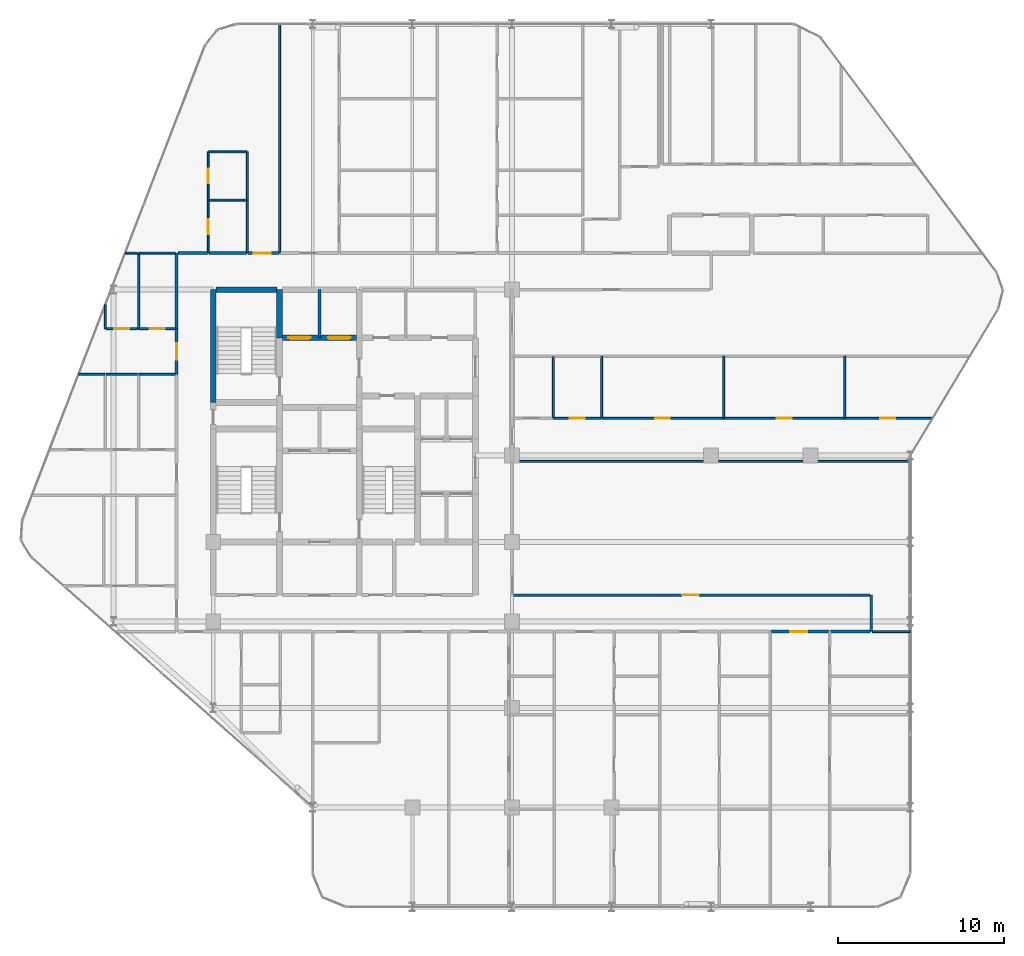
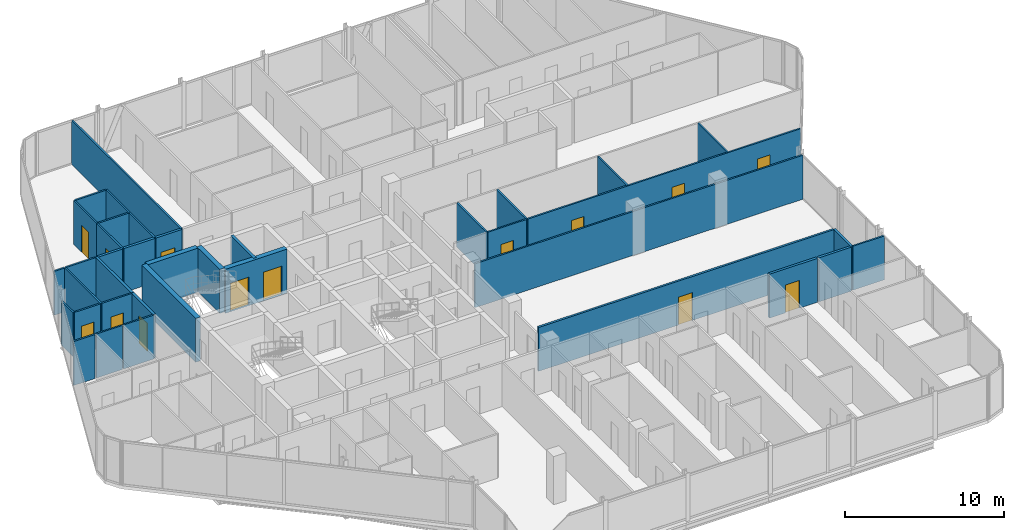
# One storey, part 28 of 32: 38 walls, 14 doors, 14 openings.
"""IFC4 building model written with IfcOpenShell, lengths in metres."""

from ifc_helpers import new_model, si_unit, direction, frame, frame_2d, origin, place, context, subcontext, project, spatial, rectangle, extrude, material, layer, layer_set, type_object, element, fill, save


model = new_model("IFC4")

# Units and contexts
model_context = context("Model", 3, precision=1e-05, world=origin(), true_north=direction((0.0, 1.0)))
body_context = subcontext(model_context, "Body", "Model", "MODEL_VIEW")
ifc_project = project(units=[si_unit("LENGTHUNIT", "METRE"), si_unit("AREAUNIT", "SQUARE_METRE"), si_unit("VOLUMEUNIT", "CUBIC_METRE"), si_unit("PLANEANGLEUNIT", "RADIAN"), si_unit("MASSUNIT", "GRAM", prefix="KILO")], contexts=[model_context])

# Site, building, storey
site_placement = place(None, origin())
site = spatial("IfcSite", under=ifc_project, at=site_placement, CompositionType="ELEMENT")
building_placement = place(site_placement, origin())
building = spatial("IfcBuilding", under=site, at=building_placement, Name="Keshet Zoharim Tower", CompositionType="ELEMENT")
storey_placement = place(building_placement, frame((0.0, 0.0, 152.0)))
storey = spatial("IfcBuildingStorey", under=building, at=storey_placement, Name="L37", CompositionType="ELEMENT", Elevation=152.0)

# Wall
ifc_material_1 = material(Name="Gypsum Plasterboard", Category="gypsum")
ifc_layer_1 = layer(ifc_material_1, 0.14990234375)
ifc_layer_set_1 = layer_set([ifc_layer_1], Name="Gypsum Plasterboard")
wall_type_1 = type_object("IfcWallType", Name="WL-CLIN-150", PredefinedType="STANDARD", material=ifc_layer_set_1)
wall_1_placement = place(storey_placement, frame((54.64990234375, 17.31005859375, 0.0), z_axis=(0.0, 0.0, 1.0), x_axis=(0.0, 1.0, 0.0)))
element("IfcWall", 1, at=wall_1_placement, inside=storey, type_object=wall_type_1, Name="L37 Interior Wall 112", PredefinedType="STANDARD", context=body_context, shape_type="SweptSolid", body=[
    extrude(rectangle(XDim=2.18994140625, YDim=0.14990234375, at=frame_2d((1.094970703125, 0.0))), origin(), (0.0, 0.0, 1.0), 3.385009765625),
])

# Wall, opening, door
wall_2_placement = place(storey_placement, frame((33.070068359375, 19.5, 0.0), z_axis=(0.0, 0.0, 1.0), x_axis=(1.0, 0.0, 0.0)))
wall_2 = element("IfcWall", 2, at=wall_2_placement, inside=storey, type_object=wall_type_1, Name="L37 Interior Wall 148", PredefinedType="STANDARD", context=body_context, shape_type="SweptSolid", body=[
    extrude(rectangle(XDim=21.510009765625, YDim=0.14990234375, at=frame_2d((10.7548828125, 0.0))), origin(), (0.0, 0.0, 1.0), 3.385009765625),
])
opening_1_placement = place(wall_2_placement, frame((10.18505859375, 0.0, 0.0)))
opening_1 = element("IfcOpeningElement", 3, at=opening_1_placement, cuts=wall_2, Name="Opening D-F310", PredefinedType="OPENING", context=body_context, shape_type="SweptSolid", body=[
    extrude(rectangle(XDim=1.0, YDim=2.14990234375, at=frame_2d((0.5, 1.074951171875))), frame((0.0, 0.0849609375, 0.0), z_axis=(0.0, -1.0, 0.0), x_axis=(1.0, 0.0, 0.0)), (0.0, 0.0, 1.0), 0.169921875),
])
ifc_material_2 = material(Name="Hardwood Timber", Category="wood")
door_type_1 = type_object("IfcDoorType", Name="DR-FD30-100", OperationType="NOTDEFINED", PredefinedType="DOOR", material=ifc_material_2)
door_1_placement = place(opening_1_placement, origin())
door_1 = element("IfcDoor", 4, at=door_1_placement, inside=storey, type_object=door_type_1, Name="L37 South East Residents Services Suite Door 1", OperationType="SINGLE_SWING_LEFT", OverallHeight=2.14990234375, OverallWidth=1.0, PredefinedType="DOOR", context=body_context, shape_type="SweptSolid", body=[
    extrude(rectangle(XDim=1.0, YDim=2.14990234375, at=frame_2d((0.5, 1.074951171875))), frame((0.0, 0.02490234375, 0.0), z_axis=(0.0, -1.0, 0.0), x_axis=(1.0, 0.0, 0.0)), (0.0, 0.0, 1.0), 0.050048828125),
])
fill(opening_1, door_1)

# Walls
ifc_material_3 = material(Name="Concrete C60/75", Category="concrete")
ifc_layer_2 = layer(ifc_material_3, 0.35009765625)
ifc_layer_set_2 = layer_set([ifc_layer_2], Name="Concrete C60/75")
wall_type_2 = type_object("IfcWallType", Name="WL-CORE-350", PredefinedType="SHEAR", material=ifc_layer_set_2)
wall_3_placement = place(storey_placement, frame((15.0, 31.10009765625, 0.0), z_axis=(0.0, 0.0, 1.0), x_axis=(0.0, 1.0, 0.0)))
element("IfcWall", 5, at=wall_3_placement, inside=storey, type_object=wall_type_2, Name="L37 Core Shear Wall 018", PredefinedType="SHEAR", context=body_context, shape_type="SweptSolid", body=[
    extrude(rectangle(XDim=6.7998046875, YDim=0.35009765625, at=frame_2d((3.39990234375, 0.0))), origin(), (0.0, 0.0, 1.0), 3.385009765625),
])
wall_4_placement = place(storey_placement, frame((19.0, 35.0, 0.0), z_axis=(0.0, 0.0, 1.0), x_axis=(0.0, 1.0, 0.0)))
element("IfcWall", 6, at=wall_4_placement, inside=storey, type_object=wall_type_2, Name="L37 Core Shear Wall 027", PredefinedType="SHEAR", context=body_context, shape_type="SweptSolid", body=[
    extrude(rectangle(XDim=2.89990234375, YDim=0.35009765625, at=frame_2d((1.449951171875, 0.0))), origin(), (0.0, 0.0, 1.0), 3.385009765625),
])

# Wall, openings, doors
wall_5_placement = place(storey_placement, frame((19.159912109375, 35.0, 0.0), z_axis=(0.0, 0.0, 1.0), x_axis=(1.0, 0.0, 0.0)))
wall_5 = element("IfcWall", 7, at=wall_5_placement, inside=storey, type_object=wall_type_2, Name="L37 Core Shear Wall 182", PredefinedType="SHEAR", context=body_context, shape_type="SweptSolid", body=[
    extrude(rectangle(XDim=4.47998046875, YDim=0.35009765625, at=frame_2d((2.239990234375, 0.0))), origin(), (0.0, 0.0, 1.0), 3.385009765625),
])
opening_2_placement = place(wall_5_placement, frame((0.364990234375, 0.0, 0.0)))
opening_2 = element("IfcOpeningElement", 8, at=opening_2_placement, cuts=wall_5, Name="Opening LD-02", PredefinedType="OPENING", context=body_context, shape_type="SweptSolid", body=[
    extrude(rectangle(XDim=1.35009765625, YDim=2.199951171875, at=frame_2d((0.675048828125, 1.10009765625))), frame((0.0, 0.18505859375, 0.0), z_axis=(0.0, -1.0, 0.0), x_axis=(1.0, 0.0, 0.0)), (0.0, 0.0, 1.0), 0.3701171875),
])
opening_3_placement = place(wall_5_placement, frame((2.764892578125, 0.0, 0.0)))
opening_3 = element("IfcOpeningElement", 9, at=opening_3_placement, cuts=wall_5, Name="Opening LD-02", PredefinedType="OPENING", context=body_context, shape_type="SweptSolid", body=[
    extrude(rectangle(XDim=1.35009765625, YDim=2.199951171875, at=frame_2d((0.675048828125, 1.10009765625))), frame((0.0, 0.18505859375, 0.0), z_axis=(0.0, -1.0, 0.0), x_axis=(1.0, 0.0, 0.0)), (0.0, 0.0, 1.0), 0.3701171875),
])
ifc_material_4 = material(Name="Steel S355", Category="steel")
door_type_2 = type_object("IfcDoorType", Name="DR-LD02-135", OperationType="DOUBLE_DOOR_SLIDING", PredefinedType="DOOR", material=ifc_material_4)
door_2_placement = place(opening_2_placement, origin())
door_2 = element("IfcDoor", 10, at=door_2_placement, inside=storey, type_object=door_type_2, Name="L37 Firefighting Lift Landing Door FF-01", OperationType="DOUBLE_DOOR_SLIDING", OverallHeight=2.199951171875, OverallWidth=1.35009765625, PredefinedType="DOOR", context=body_context, shape_type="SweptSolid", body=[
    extrude(rectangle(XDim=1.35009765625, YDim=2.199951171875, at=frame_2d((0.675048828125, 1.10009765625))), frame((0.0, 0.02490234375, 0.0), z_axis=(0.0, -1.0, 0.0), x_axis=(1.0, 0.0, 0.0)), (0.0, 0.0, 1.0), 0.050048828125),
])
fill(opening_2, door_2)
door_3_placement = place(opening_3_placement, origin())
door_3 = element("IfcDoor", 11, at=door_3_placement, inside=storey, type_object=door_type_2, Name="L37 Firefighting Lift Landing Door FF-02", OperationType="DOUBLE_DOOR_SLIDING", OverallHeight=2.199951171875, OverallWidth=1.35009765625, PredefinedType="DOOR", context=body_context, shape_type="SweptSolid", body=[
    extrude(rectangle(XDim=1.35009765625, YDim=2.199951171875, at=frame_2d((0.675048828125, 1.10009765625))), frame((0.0, 0.02490234375, 0.0), z_axis=(0.0, -1.0, 0.0), x_axis=(1.0, 0.0, 0.0)), (0.0, 0.0, 1.0), 0.050048828125),
])
fill(opening_3, door_3)

# Wall
wall_6_placement = place(storey_placement, frame((15.159912109375, 37.89990234375, 0.0), z_axis=(0.0, 0.0, 1.0), x_axis=(1.0, 0.0, 0.0)))
element("IfcWall", 12, at=wall_6_placement, inside=storey, type_object=wall_type_2, Name="L37 Core Shear Wall 187", PredefinedType="SHEAR", context=body_context, shape_type="SweptSolid", body=[
    extrude(rectangle(XDim=3.68017578125, YDim=0.35009765625, at=frame_2d((1.840087890625, 0.0))), origin(), (0.0, 0.0, 1.0), 3.385009765625),
])

# Wall, opening, door
ifc_layer_3 = layer(ifc_material_1, 0.179931640625)
ifc_layer_set_3 = layer_set([ifc_layer_3], Name="Gypsum Plasterboard")
wall_type_3 = type_object("IfcWallType", Name="WL-CORR-180", PredefinedType="STANDARD", material=ifc_layer_set_3)
wall_7_placement = place(storey_placement, frame((12.800048828125, 32.800048828125, 0.0), z_axis=(0.0, 0.0, 1.0), x_axis=(0.0, 1.0, 0.0)))
wall_7 = element("IfcWall", 13, at=wall_7_placement, inside=storey, type_object=wall_type_3, Name="L37 Interior Wall 011", PredefinedType="STANDARD", context=body_context, shape_type="SweptSolid", body=[
    extrude(rectangle(XDim=2.75, YDim=0.179931640625, at=frame_2d((1.375, 0.0))), origin(), (0.0, 0.0, 1.0), 3.385009765625),
])
opening_4_placement = place(wall_7_placement, frame((0.875, 0.0, 0.0)))
opening_4 = element("IfcOpeningElement", 14, at=opening_4_placement, cuts=wall_7, Name="Opening D-F310", PredefinedType="OPENING", context=body_context, shape_type="SweptSolid", body=[
    extrude(rectangle(XDim=1.0, YDim=2.14990234375, at=frame_2d((0.5, 1.074951171875))), frame((0.0, 0.10009765625, 0.0), z_axis=(0.0, -1.0, 0.0), x_axis=(1.0, 0.0, 0.0)), (0.0, 0.0, 1.0), 0.199951171875),
])
door_4_placement = place(opening_4_placement, origin())
door_4 = element("IfcDoor", 15, at=door_4_placement, inside=storey, type_object=door_type_1, Name="Apartment 3712 Entrance Door", OperationType="SINGLE_SWING_LEFT", OverallHeight=2.14990234375, OverallWidth=1.0, PredefinedType="DOOR", context=body_context, shape_type="SweptSolid", body=[
    extrude(rectangle(XDim=1.0, YDim=2.14990234375, at=frame_2d((0.5, 1.074951171875))), frame((0.0, 0.02490234375, 0.0), z_axis=(0.0, -1.0, 0.0), x_axis=(1.0, 0.0, 0.0)), (0.0, 0.0, 1.0), 0.050048828125),
])
fill(opening_4, door_4)

# Wall
wall_8_placement = place(storey_placement, frame((12.800048828125, 35.550048828125, 0.0), z_axis=(0.0, 0.0, 1.0), x_axis=(0.0, 1.0, 0.0)))
element("IfcWall", 16, at=wall_8_placement, inside=storey, type_object=wall_type_3, Name="L37 Interior Wall 012", PredefinedType="STANDARD", context=body_context, shape_type="SweptSolid", body=[
    extrude(rectangle(XDim=4.550048828125, YDim=0.179931640625, at=frame_2d((2.27490234375, 0.0))), origin(), (0.0, 0.0, 1.0), 3.385009765625),
])

# Wall, opening, door
wall_9_placement = place(storey_placement, frame((48.594970703125, 17.300048828125, 0.0), z_axis=(0.0, 0.0, 1.0), x_axis=(1.0, 0.0, 0.0)))
wall_9 = element("IfcWall", 17, at=wall_9_placement, inside=storey, type_object=wall_type_3, Name="L37 Interior Wall 141", PredefinedType="STANDARD", context=body_context, shape_type="SweptSolid", body=[
    extrude(rectangle(XDim=3.510009765625, YDim=0.179931640625, at=frame_2d((1.7548828125, 0.0))), origin(), (0.0, 0.0, 1.0), 3.385009765625),
])
opening_5_placement = place(wall_9_placement, frame((1.18505859375, 0.0, 0.0)))
opening_5 = element("IfcOpeningElement", 18, at=opening_5_placement, cuts=wall_9, Name="Opening D-F310", PredefinedType="OPENING", context=body_context, shape_type="SweptSolid", body=[
    extrude(rectangle(XDim=1.0, YDim=2.14990234375, at=frame_2d((0.5, 1.074951171875))), frame((0.0, 0.10009765625, 0.0), z_axis=(0.0, -1.0, 0.0), x_axis=(1.0, 0.0, 0.0)), (0.0, 0.0, 1.0), 0.199951171875),
])
door_5_placement = place(opening_5_placement, origin())
door_5 = element("IfcDoor", 19, at=door_5_placement, inside=storey, type_object=door_type_1, Name="Apartment 3705 Entrance Door", OperationType="SINGLE_SWING_RIGHT", OverallHeight=2.14990234375, OverallWidth=1.0, PredefinedType="DOOR", context=body_context, shape_type="SweptSolid", body=[
    extrude(rectangle(XDim=1.0, YDim=2.14990234375, at=frame_2d((0.5, 1.074951171875))), frame((0.0, 0.02490234375, 0.0), z_axis=(0.0, -1.0, 0.0), x_axis=(1.0, 0.0, 0.0)), (0.0, 0.0, 1.0), 0.050048828125),
])
fill(opening_5, door_5)

# Walls
wall_10_placement = place(storey_placement, frame((52.195068359375, 17.300048828125, 0.0), z_axis=(0.0, 0.0, 1.0), x_axis=(1.0, 0.0, 0.0)))
element("IfcWall", 20, at=wall_10_placement, inside=storey, type_object=wall_type_3, Name="L37 Interior Wall 142", PredefinedType="STANDARD", context=body_context, shape_type="SweptSolid", body=[
    extrude(rectangle(XDim=2.385009765625, YDim=0.179931640625, at=frame_2d((1.1923828125, 0.0))), origin(), (0.0, 0.0, 1.0), 3.385009765625),
])
wall_11_placement = place(storey_placement, frame((12.875, 40.10009765625, 0.0), z_axis=(0.0, 0.0, 1.0), x_axis=(1.0, 0.0, 0.0)))
element("IfcWall", 21, at=wall_11_placement, inside=storey, type_object=wall_type_3, Name="L37 Interior Wall 194", PredefinedType="STANDARD", context=body_context, shape_type="SweptSolid", body=[
    extrude(rectangle(XDim=1.780029296875, YDim=0.179931640625, at=frame_2d((0.89013671875, 0.0))), origin(), (0.0, 0.0, 1.0), 3.385009765625),
])
wall_12_placement = place(storey_placement, frame((14.7451171875, 40.10009765625, 0.0), z_axis=(0.0, 0.0, 1.0), x_axis=(1.0, 0.0, 0.0)))
element("IfcWall", 22, at=wall_12_placement, inside=storey, type_object=wall_type_3, Name="L37 Interior Wall 195", PredefinedType="STANDARD", context=body_context, shape_type="SweptSolid", body=[
    extrude(rectangle(XDim=2.259765625, YDim=0.179931640625, at=frame_2d((1.1298828125, 0.0))), origin(), (0.0, 0.0, 1.0), 3.385009765625),
])

# Wall, opening, door
wall_13_placement = place(storey_placement, frame((17.094970703125, 40.10009765625, 0.0), z_axis=(0.0, 0.0, 1.0), x_axis=(1.0, 0.0, 0.0)))
wall_13 = element("IfcWall", 23, at=wall_13_placement, inside=storey, type_object=wall_type_3, Name="L37 Interior Wall 196", PredefinedType="STANDARD", context=body_context, shape_type="SweptSolid", body=[
    extrude(rectangle(XDim=1.860107421875, YDim=0.179931640625, at=frame_2d((0.93017578125, 0.0))), origin(), (0.0, 0.0, 1.0), 3.385009765625),
])
opening_6_placement = place(wall_13_placement, frame((0.35693359375, 0.0, 0.0)))
opening_6 = element("IfcOpeningElement", 24, at=opening_6_placement, cuts=wall_13, Name="Opening D-F310", PredefinedType="OPENING", context=body_context, shape_type="SweptSolid", body=[
    extrude(rectangle(XDim=1.0, YDim=2.14990234375, at=frame_2d((0.5, 1.074951171875))), frame((0.0, 0.10009765625, 0.0), z_axis=(0.0, -1.0, 0.0), x_axis=(1.0, 0.0, 0.0)), (0.0, 0.0, 1.0), 0.199951171875),
])
door_6_placement = place(opening_6_placement, origin())
door_6 = element("IfcDoor", 25, at=door_6_placement, inside=storey, type_object=door_type_1, Name="Apartment 3706 Entrance Door", OperationType="SINGLE_SWING_RIGHT", OverallHeight=2.14990234375, OverallWidth=1.0, PredefinedType="DOOR", context=body_context, shape_type="SweptSolid", body=[
    extrude(rectangle(XDim=1.0, YDim=2.14990234375, at=frame_2d((0.5, 1.074951171875))), frame((0.0, 0.02490234375, 0.0), z_axis=(0.0, -1.0, 0.0), x_axis=(1.0, 0.0, 0.0)), (0.0, 0.0, 1.0), 0.050048828125),
])
fill(opening_6, door_6)

# Walls
ifc_material_5 = material(Name="Concrete C50/60", Category="concrete")
ifc_layer_4 = layer(ifc_material_5, 0.199951171875)
ifc_layer_set_4 = layer_set([ifc_layer_4], Name="Concrete C50/60")
wall_type_4 = type_object("IfcWallType", Name="WL-FIRE-200", PredefinedType="STANDARD", material=ifc_layer_set_4)
wall_14_placement = place(storey_placement, frame((21.39990234375, 35.0, 0.0), z_axis=(0.0, 0.0, 1.0), x_axis=(0.0, 1.0, 0.0)))
element("IfcWall", 26, at=wall_14_placement, inside=storey, type_object=wall_type_4, Name="L37 Interior Wall 034", PredefinedType="STANDARD", context=body_context, shape_type="SweptSolid", body=[
    extrude(rectangle(XDim=2.89990234375, YDim=0.199951171875, at=frame_2d((1.449951171875, 0.0))), origin(), (0.0, 0.0, 1.0), 3.385009765625),
])
ifc_layer_5 = layer(ifc_material_1, 0.1201171875)
ifc_layer_set_5 = layer_set([ifc_layer_5], Name="Gypsum Plasterboard")
wall_type_5 = type_object("IfcWallType", Name="WL-PART-120", PredefinedType="PARTITIONING", material=ifc_layer_set_5)
wall_15_placement = place(storey_placement, frame((8.5, 35.550048828125, 0.0), z_axis=(0.0, 0.0, 1.0), x_axis=(0.0, 1.0, 0.0)))
element("IfcWall", 27, at=wall_15_placement, inside=storey, type_object=wall_type_5, Name="L37 Interior Wall 003", PredefinedType="PARTITIONING", context=body_context, shape_type="SweptSolid", body=[
    extrude(rectangle(XDim=1.43994140625, YDim=0.1201171875, at=frame_2d((0.719970703125, 0.0))), origin(), (0.0, 0.0, 1.0), 3.385009765625),
])

# Wall, opening, door
wall_16_placement = place(storey_placement, frame((14.699951171875, 40.10009765625, 0.0), z_axis=(0.0, 0.0, 1.0), x_axis=(0.0, 1.0, 0.0)))
wall_16 = element("IfcWall", 28, at=wall_16_placement, inside=storey, type_object=wall_type_5, Name="L37 Interior Wall 013", PredefinedType="PARTITIONING", context=body_context, shape_type="SweptSolid", body=[
    extrude(rectangle(XDim=3.199951171875, YDim=0.1201171875, at=frame_2d((1.60009765625, 0.0))), origin(), (0.0, 0.0, 1.0), 3.385009765625),
])
opening_7_placement = place(wall_16_placement, frame((1.14990234375, 0.0, 0.0)))
opening_7 = element("IfcOpeningElement", 29, at=opening_7_placement, cuts=wall_16, Name="Opening D-IN90", PredefinedType="OPENING", context=body_context, shape_type="SweptSolid", body=[
    extrude(rectangle(XDim=0.89990234375, YDim=2.14990234375, at=frame_2d((0.449951171875, 1.074951171875))), frame((0.0, 0.070068359375, 0.0), z_axis=(0.0, -1.0, 0.0), x_axis=(1.0, 0.0, 0.0)), (0.0, 0.0, 1.0), 0.14013671875),
])
door_type_3 = type_object("IfcDoorType", Name="DR-INT-090", OperationType="NOTDEFINED", PredefinedType="DOOR", material=ifc_material_2)
door_7_placement = place(opening_7_placement, origin())
door_7 = element("IfcDoor", 30, at=door_7_placement, inside=storey, type_object=door_type_3, Name="Apartment 3706 Kitchenette Door", OperationType="SINGLE_SWING_RIGHT", OverallHeight=2.14990234375, OverallWidth=0.89990234375, PredefinedType="DOOR", context=body_context, shape_type="SweptSolid", body=[
    extrude(rectangle(XDim=0.89990234375, YDim=2.14990234375, at=frame_2d((0.449951171875, 1.074951171875))), frame((0.0, 0.02490234375, 0.0), z_axis=(0.0, -1.0, 0.0), x_axis=(1.0, 0.0, 0.0)), (0.0, 0.0, 1.0), 0.050048828125),
])
fill(opening_7, door_7)

# Walls
wall_17_placement = place(storey_placement, frame((17.050048828125, 40.10009765625, 0.0), z_axis=(0.0, 0.0, 1.0), x_axis=(0.0, 1.0, 0.0)))
element("IfcWall", 31, at=wall_17_placement, inside=storey, type_object=wall_type_5, Name="L37 Interior Wall 021", PredefinedType="PARTITIONING", context=body_context, shape_type="SweptSolid", body=[
    extrude(rectangle(XDim=3.199951171875, YDim=0.1201171875, at=frame_2d((1.60009765625, 0.0))), origin(), (0.0, 0.0, 1.0), 3.385009765625),
])
wall_18_placement = place(storey_placement, frame((19.0, 40.10009765625, 0.0), z_axis=(0.0, 0.0, 1.0), x_axis=(0.0, 1.0, 0.0)))
element("IfcWall", 32, at=wall_18_placement, inside=storey, type_object=wall_type_5, Name="L37 Interior Wall 028", PredefinedType="PARTITIONING", context=body_context, shape_type="SweptSolid", body=[
    extrude(rectangle(XDim=13.789794921875, YDim=0.1201171875, at=frame_2d((6.89501953125, 0.0))), origin(), (0.0, 0.0, 1.0), 3.385009765625),
])
for number, where, z_axis, x_axis, name in (
    (33, (45.75, 30.159912109375, 0.0), (0.0, 0.0, 1.0), (0.0, 1.0, 0.0), "L37 Interior Wall 099"),
    (34, (53.050048828125, 30.159912109375, 0.0), (0.0, 0.0, 1.0), (0.0, 1.0, 0.0), "L37 Interior Wall 111"),
):
    element("IfcWall", number, at=place(storey_placement, frame(where, z_axis=z_axis, x_axis=x_axis)), inside=storey, type_object=wall_type_5, Name=name, PredefinedType="PARTITIONING", context=body_context, shape_type="SweptSolid", body=[
        extrude(rectangle(XDim=3.719970703125, YDim=0.1201171875, at=frame_2d((1.85986328125, 0.0))), origin(), (0.0, 0.0, 1.0), 3.385009765625),
    ])
wall_19_placement = place(storey_placement, frame((33.0849609375, 27.550048828125, 0.0), z_axis=(0.0, 0.0, 1.0), x_axis=(1.0, 0.0, 0.0)))
element("IfcWall", 35, at=wall_19_placement, inside=storey, type_object=wall_type_5, Name="L37 Interior Wall 161", PredefinedType="PARTITIONING", context=body_context, shape_type="SweptSolid", body=[
    extrude(rectangle(XDim=23.905029296875, YDim=0.1201171875, at=frame_2d((11.95263671875, 0.0))), origin(), (0.0, 0.0, 1.0), 3.385009765625),
])

# Wall, openings, doors
wall_20_placement = place(storey_placement, frame((38.445068359375, 30.14990234375, 0.0), z_axis=(0.0, 0.0, 1.0), x_axis=(1.0, 0.0, 0.0)))
wall_20 = element("IfcWall", 36, at=wall_20_placement, inside=storey, type_object=wall_type_5, Name="L37 Interior Wall 171", PredefinedType="PARTITIONING", context=body_context, shape_type="SweptSolid", body=[
    extrude(rectangle(XDim=19.89501953125, YDim=0.1201171875, at=frame_2d((9.947509765625, 0.0))), origin(), (0.0, 0.0, 1.0), 3.385009765625),
])
opening_8_placement = place(wall_20_placement, frame((3.176025390625, 0.0, 0.0)))
opening_8 = element("IfcOpeningElement", 37, at=opening_8_placement, cuts=wall_20, Name="Opening D-IN90", PredefinedType="OPENING", context=body_context, shape_type="SweptSolid", body=[
    extrude(rectangle(XDim=0.89990234375, YDim=2.14990234375, at=frame_2d((0.449951171875, 1.074951171875))), frame((0.0, 0.070068359375, 0.0), z_axis=(0.0, -1.0, 0.0), x_axis=(1.0, 0.0, 0.0)), (0.0, 0.0, 1.0), 0.14013671875),
])
opening_9_placement = place(wall_20_placement, frame((10.506103515625, 0.0, 0.0)))
opening_9 = element("IfcOpeningElement", 38, at=opening_9_placement, cuts=wall_20, Name="Opening D-IN90", PredefinedType="OPENING", context=body_context, shape_type="SweptSolid", body=[
    extrude(rectangle(XDim=0.89990234375, YDim=2.14990234375, at=frame_2d((0.449951171875, 1.074951171875))), frame((0.0, 0.070068359375, 0.0), z_axis=(0.0, -1.0, 0.0), x_axis=(1.0, 0.0, 0.0)), (0.0, 0.0, 1.0), 0.14013671875),
])
opening_10_placement = place(wall_20_placement, frame((16.73388671875, 0.0, 0.0)))
opening_10 = element("IfcOpeningElement", 39, at=opening_10_placement, cuts=wall_20, Name="Opening D-IN90", PredefinedType="OPENING", context=body_context, shape_type="SweptSolid", body=[
    extrude(rectangle(XDim=0.89990234375, YDim=2.14990234375, at=frame_2d((0.449951171875, 1.074951171875))), frame((0.0, 0.070068359375, 0.0), z_axis=(0.0, -1.0, 0.0), x_axis=(1.0, 0.0, 0.0)), (0.0, 0.0, 1.0), 0.14013671875),
])
door_8_placement = place(opening_8_placement, origin())
door_8 = element("IfcDoor", 40, at=door_8_placement, inside=storey, type_object=door_type_3, Name="Apartment 3713 Bedroom 1 Door", OperationType="SINGLE_SWING_LEFT", OverallHeight=2.14990234375, OverallWidth=0.89990234375, PredefinedType="DOOR", context=body_context, shape_type="SweptSolid", body=[
    extrude(rectangle(XDim=0.89990234375, YDim=2.14990234375, at=frame_2d((0.449951171875, 1.074951171875))), frame((0.0, 0.02490234375, 0.0), z_axis=(0.0, -1.0, 0.0), x_axis=(1.0, 0.0, 0.0)), (0.0, 0.0, 1.0), 0.050048828125),
])
fill(opening_8, door_8)
door_9_placement = place(opening_9_placement, origin())
door_9 = element("IfcDoor", 41, at=door_9_placement, inside=storey, type_object=door_type_3, Name="Apartment 3713 Bedroom 2 Door", OperationType="SINGLE_SWING_RIGHT", OverallHeight=2.14990234375, OverallWidth=0.89990234375, PredefinedType="DOOR", context=body_context, shape_type="SweptSolid", body=[
    extrude(rectangle(XDim=0.89990234375, YDim=2.14990234375, at=frame_2d((0.449951171875, 1.074951171875))), frame((0.0, 0.02490234375, 0.0), z_axis=(0.0, -1.0, 0.0), x_axis=(1.0, 0.0, 0.0)), (0.0, 0.0, 1.0), 0.050048828125),
])
fill(opening_9, door_9)
door_10_placement = place(opening_10_placement, origin())
door_10 = element("IfcDoor", 42, at=door_10_placement, inside=storey, type_object=door_type_3, Name="Apartment 3713 Bedroom 3 Door", OperationType="SINGLE_SWING_LEFT", OverallHeight=2.14990234375, OverallWidth=0.89990234375, PredefinedType="DOOR", context=body_context, shape_type="SweptSolid", body=[
    extrude(rectangle(XDim=0.89990234375, YDim=2.14990234375, at=frame_2d((0.449951171875, 1.074951171875))), frame((0.0, 0.02490234375, 0.0), z_axis=(0.0, -1.0, 0.0), x_axis=(1.0, 0.0, 0.0)), (0.0, 0.0, 1.0), 0.050048828125),
])
fill(opening_10, door_10)

# Walls
wall_21_placement = place(storey_placement, frame((6.89404296875, 32.800048828125, 0.0), z_axis=(0.0, 0.0, 1.0), x_axis=(1.0, 0.0, 0.0)))
element("IfcWall", 43, at=wall_21_placement, inside=storey, type_object=wall_type_5, Name="L37 Interior Wall 176", PredefinedType="PARTITIONING", context=body_context, shape_type="SweptSolid", body=[
    extrude(rectangle(XDim=1.56103515625, YDim=0.1201171875, at=frame_2d((0.780517578125, 0.0))), origin(), (0.0, 0.0, 1.0), 3.385009765625),
])
wall_22_placement = place(storey_placement, frame((8.544921875, 32.800048828125, 0.0), z_axis=(0.0, 0.0, 1.0), x_axis=(1.0, 0.0, 0.0)))
element("IfcWall", 44, at=wall_22_placement, inside=storey, type_object=wall_type_5, Name="L37 Interior Wall 177", PredefinedType="PARTITIONING", context=body_context, shape_type="SweptSolid", body=[
    extrude(rectangle(XDim=1.88818359375, YDim=0.1201171875, at=frame_2d((0.944091796875, 0.0))), origin(), (0.0, 0.0, 1.0), 3.385009765625),
])

# Wall, opening, door
wall_23_placement = place(storey_placement, frame((8.544921875, 35.550048828125, 0.0), z_axis=(0.0, 0.0, 1.0), x_axis=(1.0, 0.0, 0.0)))
wall_23 = element("IfcWall", 45, at=wall_23_placement, inside=storey, type_object=wall_type_5, Name="L37 Interior Wall 185", PredefinedType="PARTITIONING", context=body_context, shape_type="SweptSolid", body=[
    extrude(rectangle(XDim=1.88818359375, YDim=0.1201171875, at=frame_2d((0.944091796875, 0.0))), origin(), (0.0, 0.0, 1.0), 3.385009765625),
])
opening_11_placement = place(wall_23_placement, frame((0.493896484375, 0.0, 0.0)))
opening_11 = element("IfcOpeningElement", 46, at=opening_11_placement, cuts=wall_23, Name="Opening D-IN90", PredefinedType="OPENING", context=body_context, shape_type="SweptSolid", body=[
    extrude(rectangle(XDim=0.89990234375, YDim=2.14990234375, at=frame_2d((0.449951171875, 1.074951171875))), frame((0.0, 0.070068359375, 0.0), z_axis=(0.0, -1.0, 0.0), x_axis=(1.0, 0.0, 0.0)), (0.0, 0.0, 1.0), 0.14013671875),
])
door_11_placement = place(opening_11_placement, origin())
door_11 = element("IfcDoor", 47, at=door_11_placement, inside=storey, type_object=door_type_3, Name="Apartment 3712 Kitchen Door", OperationType="SINGLE_SWING_LEFT", OverallHeight=2.14990234375, OverallWidth=0.89990234375, PredefinedType="DOOR", context=body_context, shape_type="SweptSolid", body=[
    extrude(rectangle(XDim=0.89990234375, YDim=2.14990234375, at=frame_2d((0.449951171875, 1.074951171875))), frame((0.0, 0.02490234375, 0.0), z_axis=(0.0, -1.0, 0.0), x_axis=(1.0, 0.0, 0.0)), (0.0, 0.0, 1.0), 0.050048828125),
])
fill(opening_11, door_11)

# Walls
wall_24_placement = place(storey_placement, frame((9.701904296875, 40.10009765625, 0.0), z_axis=(0.0, 0.0, 1.0), x_axis=(1.0, 0.0, 0.0)))
element("IfcWall", 48, at=wall_24_placement, inside=storey, type_object=wall_type_5, Name="L37 Interior Wall 192", PredefinedType="PARTITIONING", context=body_context, shape_type="SweptSolid", body=[
    extrude(rectangle(XDim=0.731201171875, YDim=0.1201171875, at=frame_2d((0.36572265625, 0.0))), origin(), (0.0, 0.0, 1.0), 3.385009765625),
])
ifc_layer_6 = layer(ifc_material_1, 0.1201171875)
ifc_layer_set_6 = layer_set([ifc_layer_6], Name="Gypsum Plasterboard")
wall_type_6 = type_object("IfcWallType", Name="WL-WET-120", PredefinedType="PARTITIONING", material=ifc_layer_set_6)
wall_25_placement = place(storey_placement, frame((10.5, 35.550048828125, 0.0), z_axis=(0.0, 0.0, 1.0), x_axis=(0.0, 1.0, 0.0)))
element("IfcWall", 49, at=wall_25_placement, inside=storey, type_object=wall_type_6, Name="L37 Interior Wall 006", PredefinedType="PARTITIONING", context=body_context, shape_type="SweptSolid", body=[
    extrude(rectangle(XDim=4.550048828125, YDim=0.1201171875, at=frame_2d((2.27490234375, 0.0))), origin(), (0.0, 0.0, 1.0), 3.385009765625),
])

# Wall, opening, door
wall_26_placement = place(storey_placement, frame((14.699951171875, 43.300048828125, 0.0), z_axis=(0.0, 0.0, 1.0), x_axis=(0.0, 1.0, 0.0)))
wall_26 = element("IfcWall", 50, at=wall_26_placement, inside=storey, type_object=wall_type_6, Name="L37 Interior Wall 014", PredefinedType="PARTITIONING", context=body_context, shape_type="SweptSolid", body=[
    extrude(rectangle(XDim=2.89990234375, YDim=0.1201171875, at=frame_2d((1.449951171875, 0.0))), origin(), (0.0, 0.0, 1.0), 3.385009765625),
])
opening_12_placement = place(wall_26_placement, frame((1.0, 0.0, 0.0)))
opening_12 = element("IfcOpeningElement", 51, at=opening_12_placement, cuts=wall_26, Name="Opening D-WT90", PredefinedType="OPENING", context=body_context, shape_type="SweptSolid", body=[
    extrude(rectangle(XDim=0.89990234375, YDim=2.10009765625, at=frame_2d((0.449951171875, 1.050048828125))), frame((0.0, 0.070068359375, 0.0), z_axis=(0.0, -1.0, 0.0), x_axis=(1.0, 0.0, 0.0)), (0.0, 0.0, 1.0), 0.14013671875),
])
door_type_4 = type_object("IfcDoorType", Name="DR-WET-090", OperationType="NOTDEFINED", PredefinedType="DOOR", material=ifc_material_2)
door_12_placement = place(opening_12_placement, origin())
door_12 = element("IfcDoor", 52, at=door_12_placement, inside=storey, type_object=door_type_4, Name="Apartment 3706 Bathroom Door", OperationType="SINGLE_SWING_LEFT", OverallHeight=2.10009765625, OverallWidth=0.89990234375, PredefinedType="DOOR", context=body_context, shape_type="SweptSolid", body=[
    extrude(rectangle(XDim=0.89990234375, YDim=2.10009765625, at=frame_2d((0.449951171875, 1.050048828125))), frame((0.0, 0.02490234375, 0.0), z_axis=(0.0, -1.0, 0.0), x_axis=(1.0, 0.0, 0.0)), (0.0, 0.0, 1.0), 0.050048828125),
])
fill(opening_12, door_12)

# Walls
wall_27_placement = place(storey_placement, frame((17.050048828125, 43.300048828125, 0.0), z_axis=(0.0, 0.0, 1.0), x_axis=(0.0, 1.0, 0.0)))
element("IfcWall", 53, at=wall_27_placement, inside=storey, type_object=wall_type_6, Name="L37 Interior Wall 022", PredefinedType="PARTITIONING", context=body_context, shape_type="SweptSolid", body=[
    extrude(rectangle(XDim=2.89990234375, YDim=0.1201171875, at=frame_2d((1.449951171875, 0.0))), origin(), (0.0, 0.0, 1.0), 3.385009765625),
])
for number, where, z_axis, x_axis, name in (
    (54, (35.5, 30.159912109375, 0.0), (0.0, 0.0, 1.0), (0.0, 1.0, 0.0), "L37 Interior Wall 074"),
    (55, (38.39990234375, 30.159912109375, 0.0), (0.0, 0.0, 1.0), (0.0, 1.0, 0.0), "L37 Interior Wall 081"),
):
    element("IfcWall", number, at=place(storey_placement, frame(where, z_axis=z_axis, x_axis=x_axis)), inside=storey, type_object=wall_type_6, Name=name, PredefinedType="PARTITIONING", context=body_context, shape_type="SweptSolid", body=[
        extrude(rectangle(XDim=3.719970703125, YDim=0.1201171875, at=frame_2d((1.85986328125, 0.0))), origin(), (0.0, 0.0, 1.0), 3.385009765625),
    ])
wall_28_placement = place(storey_placement, frame((54.7099609375, 17.300048828125, 0.0), z_axis=(0.0, 0.0, 1.0), x_axis=(1.0, 0.0, 0.0)))
element("IfcWall", 56, at=wall_28_placement, inside=storey, type_object=wall_type_6, Name="L37 Interior Wall 143", PredefinedType="PARTITIONING", context=body_context, shape_type="SweptSolid", body=[
    extrude(rectangle(XDim=2.280029296875, YDim=0.1201171875, at=frame_2d((1.14013671875, 0.0))), origin(), (0.0, 0.0, 1.0), 3.385009765625),
])

# Wall, opening, door
wall_29_placement = place(storey_placement, frame((35.529052734375, 30.14990234375, 0.0), z_axis=(0.0, 0.0, 1.0), x_axis=(1.0, 0.0, 0.0)))
wall_29 = element("IfcWall", 57, at=wall_29_placement, inside=storey, type_object=wall_type_6, Name="L37 Interior Wall 170", PredefinedType="PARTITIONING", context=body_context, shape_type="SweptSolid", body=[
    extrude(rectangle(XDim=2.825927734375, YDim=0.1201171875, at=frame_2d((1.4130859375, 0.0))), origin(), (0.0, 0.0, 1.0), 3.385009765625),
])
opening_13_placement = place(wall_29_placement, frame((0.962890625, 0.0, 0.0)))
opening_13 = element("IfcOpeningElement", 58, at=opening_13_placement, cuts=wall_29, Name="Opening D-WT90", PredefinedType="OPENING", context=body_context, shape_type="SweptSolid", body=[
    extrude(rectangle(XDim=0.89990234375, YDim=2.10009765625, at=frame_2d((0.449951171875, 1.050048828125))), frame((0.0, 0.070068359375, 0.0), z_axis=(0.0, -1.0, 0.0), x_axis=(1.0, 0.0, 0.0)), (0.0, 0.0, 1.0), 0.14013671875),
])
door_13_placement = place(opening_13_placement, origin())
door_13 = element("IfcDoor", 59, at=door_13_placement, inside=storey, type_object=door_type_4, Name="Apartment 3713 Bathroom Door", OperationType="SINGLE_SWING_RIGHT", OverallHeight=2.10009765625, OverallWidth=0.89990234375, PredefinedType="DOOR", context=body_context, shape_type="SweptSolid", body=[
    extrude(rectangle(XDim=0.89990234375, YDim=2.10009765625, at=frame_2d((0.449951171875, 1.050048828125))), frame((0.0, 0.02490234375, 0.0), z_axis=(0.0, -1.0, 0.0), x_axis=(1.0, 0.0, 0.0)), (0.0, 0.0, 1.0), 0.050048828125),
])
fill(opening_13, door_13)

# Wall
wall_30_placement = place(storey_placement, frame((10.52294921875, 32.800048828125, 0.0), z_axis=(0.0, 0.0, 1.0), x_axis=(1.0, 0.0, 0.0)))
element("IfcWall", 60, at=wall_30_placement, inside=storey, type_object=wall_type_6, Name="L37 Interior Wall 178", PredefinedType="PARTITIONING", context=body_context, shape_type="SweptSolid", body=[
    extrude(rectangle(XDim=2.2021484375, YDim=0.1201171875, at=frame_2d((1.10107421875, 0.0))), origin(), (0.0, 0.0, 1.0), 3.385009765625),
])

# Wall, opening, door
wall_31_placement = place(storey_placement, frame((10.52294921875, 35.550048828125, 0.0), z_axis=(0.0, 0.0, 1.0), x_axis=(1.0, 0.0, 0.0)))
wall_31 = element("IfcWall", 61, at=wall_31_placement, inside=storey, type_object=wall_type_6, Name="L37 Interior Wall 186", PredefinedType="PARTITIONING", context=body_context, shape_type="SweptSolid", body=[
    extrude(rectangle(XDim=2.2021484375, YDim=0.1201171875, at=frame_2d((1.10107421875, 0.0))), origin(), (0.0, 0.0, 1.0), 3.385009765625),
])
opening_14_placement = place(wall_31_placement, frame((0.666015625, 0.0, 0.0)))
opening_14 = element("IfcOpeningElement", 62, at=opening_14_placement, cuts=wall_31, Name="Opening D-WT90", PredefinedType="OPENING", context=body_context, shape_type="SweptSolid", body=[
    extrude(rectangle(XDim=0.89990234375, YDim=2.10009765625, at=frame_2d((0.449951171875, 1.050048828125))), frame((0.0, 0.070068359375, 0.0), z_axis=(0.0, -1.0, 0.0), x_axis=(1.0, 0.0, 0.0)), (0.0, 0.0, 1.0), 0.14013671875),
])
door_14_placement = place(opening_14_placement, origin())
door_14 = element("IfcDoor", 63, at=door_14_placement, inside=storey, type_object=door_type_4, Name="Apartment 3712 Bathroom Door", OperationType="SINGLE_SWING_RIGHT", OverallHeight=2.10009765625, OverallWidth=0.89990234375, PredefinedType="DOOR", context=body_context, shape_type="SweptSolid", body=[
    extrude(rectangle(XDim=0.89990234375, YDim=2.10009765625, at=frame_2d((0.449951171875, 1.050048828125))), frame((0.0, 0.02490234375, 0.0), z_axis=(0.0, -1.0, 0.0), x_axis=(1.0, 0.0, 0.0)), (0.0, 0.0, 1.0), 0.050048828125),
])
fill(opening_14, door_14)

# Walls
wall_32_placement = place(storey_placement, frame((10.52294921875, 40.10009765625, 0.0), z_axis=(0.0, 0.0, 1.0), x_axis=(1.0, 0.0, 0.0)))
element("IfcWall", 64, at=wall_32_placement, inside=storey, type_object=wall_type_6, Name="L37 Interior Wall 193", PredefinedType="PARTITIONING", context=body_context, shape_type="SweptSolid", body=[
    extrude(rectangle(XDim=2.2021484375, YDim=0.1201171875, at=frame_2d((1.10107421875, 0.0))), origin(), (0.0, 0.0, 1.0), 3.385009765625),
])
for number, where, z_axis, x_axis, name in (
    (65, (14.7451171875, 43.300048828125, 0.0), (0.0, 0.0, 1.0), (1.0, 0.0, 0.0), "L37 Interior Wall 213"),
    (66, (14.7451171875, 46.199951171875, 0.0), (0.0, 0.0, 1.0), (1.0, 0.0, 0.0), "L37 Interior Wall 219"),
):
    element("IfcWall", number, at=place(storey_placement, frame(where, z_axis=z_axis, x_axis=x_axis)), inside=storey, type_object=wall_type_6, Name=name, PredefinedType="PARTITIONING", context=body_context, shape_type="SweptSolid", body=[
        extrude(rectangle(XDim=2.259765625, YDim=0.1201171875, at=frame_2d((1.1298828125, 0.0))), origin(), (0.0, 0.0, 1.0), 3.385009765625),
    ])

save(model, "model.ifc")
